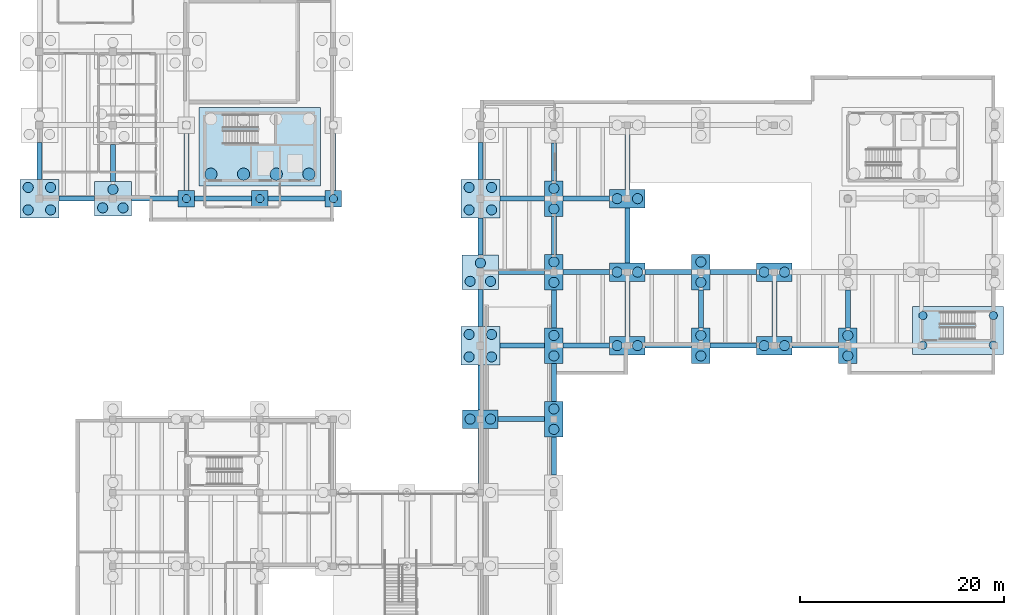
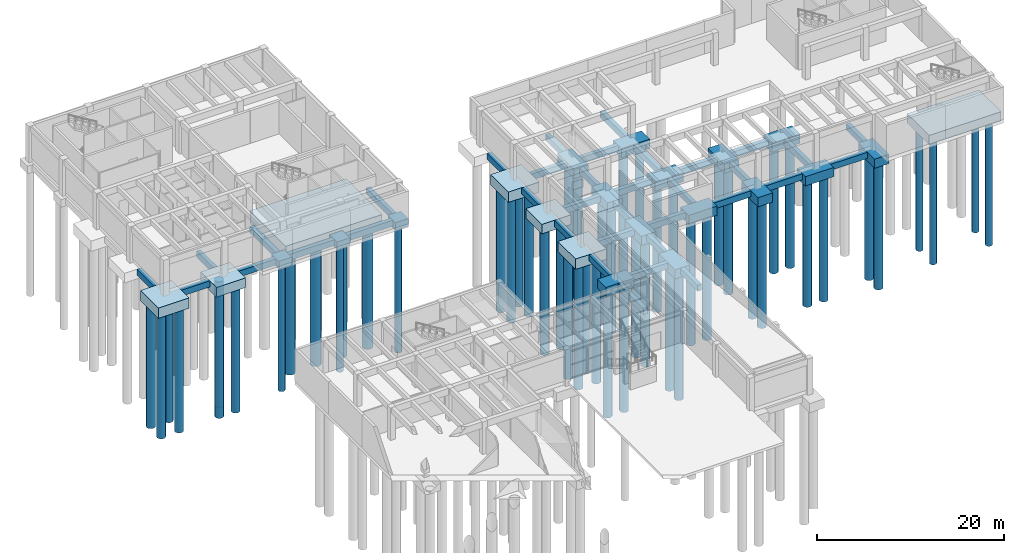
# One storey, part 2 of 28: 59 footings, 55 piles.
"""IFC4 building model written with IfcOpenShell, lengths in metres."""

from ifc_helpers import new_model, si_unit, direction, frame, origin, origin_2d, place, context, subcontext, project, spatial, rectangle, circle, extrude, material, material_profile, profile_set, type_object, element, save


model = new_model("IFC4")

# Units and contexts
model_context = context("Model", 3, precision=1e-05, world=origin(), true_north=direction((0.0, 1.0)))
body_context = subcontext(model_context, "Body", "Model", "MODEL_VIEW")
ifc_project = project(units=[si_unit("LENGTHUNIT", "METRE"), si_unit("AREAUNIT", "SQUARE_METRE"), si_unit("VOLUMEUNIT", "CUBIC_METRE"), si_unit("PLANEANGLEUNIT", "RADIAN"), si_unit("MASSUNIT", "GRAM", prefix="KILO")], contexts=[model_context])

# Site, building, storey
site_placement = place(None, origin())
site = spatial("IfcSite", under=ifc_project, at=site_placement, CompositionType="ELEMENT")
building_placement = place(site_placement, origin())
building = spatial("IfcBuilding", under=site, at=building_placement, Name="Bramvelor Terrace Health Centre", CompositionType="ELEMENT")
storey_placement = place(building_placement, frame((0.0, 0.0, -4.5)))
storey = spatial("IfcBuildingStorey", under=building, at=storey_placement, Name="B1", CompositionType="ELEMENT", Elevation=-4.5)

# Footings
ifc_material_1 = material(Name="Concrete C40/50", Category="concrete")
ifc_material_profile_1 = material_profile(ifc_material_1, rectangle(XDim=0.5, YDim=0.800048828125, at=origin_2d()), Name="RC 500x800")
ifc_profile_set_1 = profile_set([ifc_material_profile_1], Name="Concrete C40/50")
footing_type_1 = type_object("IfcFootingType", Name="FTG-FB-500x800", PredefinedType="FOOTING_BEAM", material=ifc_profile_set_1)
footing_1_placement = place(storey_placement, frame((1.89990234375, 86.39990234375, -0.89990234375), z_axis=(1.0, 0.0, 0.0), x_axis=(0.0, 1.0, 0.0)))
element("IfcFooting", 1, at=footing_1_placement, inside=storey, type_object=footing_type_1, Name="B1 Ground Tie Beam X (0.0, 86.4)", PredefinedType="FOOTING_BEAM", context=body_context, shape_type="SweptSolid", body=[
    extrude(rectangle(XDim=0.5, YDim=0.800048828125, at=origin_2d()), origin(), (0.0, 0.0, 1.0), 3.5),
])
footing_2_placement = place(storey_placement, frame((0.0, 88.300048828125, -0.89990234375), z_axis=(0.0, 1.0, 0.0), x_axis=(-1.0, 0.0, 0.0)))
element("IfcFooting", 2, at=footing_2_placement, inside=storey, type_object=footing_type_1, Name="B1 Ground Tie Beam Y (0.0, 86.4)", PredefinedType="FOOTING_BEAM", context=body_context, shape_type="SweptSolid", body=[
    extrude(rectangle(XDim=0.5, YDim=0.800048828125, at=origin_2d()), origin(), (0.0, 0.0, 1.0), 3.599853515625),
])
footing_3_placement = place(storey_placement, frame((9.0, 86.39990234375, -0.89990234375), z_axis=(1.0, 0.0, 0.0), x_axis=(0.0, 1.0, 0.0)))
element("IfcFooting", 3, at=footing_3_placement, inside=storey, type_object=footing_type_1, Name="B1 Ground Tie Beam X (7.2, 86.4)", PredefinedType="FOOTING_BEAM", context=body_context, shape_type="SweptSolid", body=[
    extrude(rectangle(XDim=0.5, YDim=0.800048828125, at=origin_2d()), origin(), (0.0, 0.0, 1.0), 4.60009765625),
])
footing_4_placement = place(storey_placement, frame((7.199951171875, 88.10009765625, -0.89990234375), z_axis=(0.0, 1.0, 0.0), x_axis=(-1.0, 0.0, 0.0)))
element("IfcFooting", 4, at=footing_4_placement, inside=storey, type_object=footing_type_1, Name="B1 Ground Tie Beam Y (7.2, 86.4)", PredefinedType="FOOTING_BEAM", context=body_context, shape_type="SweptSolid", body=[
    extrude(rectangle(XDim=0.5, YDim=0.800048828125, at=origin_2d()), origin(), (0.0, 0.0, 1.0), 3.599853515625),
])
for number, where, z_axis, x_axis, name in (
    (5, (15.199951171875, 86.39990234375, -0.89990234375), (1.0, 0.0, 0.0), (0.0, 1.0, 0.0), "B1 Ground Tie Beam X (14.4, 86.4)"),
    (6, (14.39990234375, 87.199951171875, -0.89990234375), (0.0, 1.0, 0.0), (-1.0, 0.0, 0.0), "B1 Ground Tie Beam Y (14.4, 86.4)"),
    (7, (22.39990234375, 86.39990234375, -0.89990234375), (1.0, 0.0, 0.0), (0.0, 1.0, 0.0), "B1 Ground Tie Beam X (21.6, 86.4)"),
    (8, (28.800048828125, 87.199951171875, -0.89990234375), (0.0, 1.0, 0.0), (-1.0, 0.0, 0.0), "B1 Ground Tie Beam Y (28.8, 86.4)"),
):
    element("IfcFooting", number, at=place(storey_placement, frame(where, z_axis=z_axis, x_axis=x_axis)), inside=storey, type_object=footing_type_1, Name=name, PredefinedType="FOOTING_BEAM", context=body_context, shape_type="SweptSolid", body=[
        extrude(rectangle(XDim=0.5, YDim=0.800048828125, at=origin_2d()), origin(), (0.0, 0.0, 1.0), 5.60009765625),
    ])
footing_5_placement = place(storey_placement, frame((43.199951171875, 58.5, -0.89990234375), z_axis=(0.0, 1.0, 0.0), x_axis=(-1.0, 0.0, 0.0)))
element("IfcFooting", 9, at=footing_5_placement, inside=storey, type_object=footing_type_1, Name="B1 Ground Tie Beam Y (43.2, 57.6)", PredefinedType="FOOTING_BEAM", context=body_context, shape_type="SweptSolid", body=[
    extrude(rectangle(XDim=0.5, YDim=0.800048828125, at=origin_2d()), origin(), (0.0, 0.0, 1.0), 5.39990234375),
])
footing_6_placement = place(storey_placement, frame((44.949951171875, 64.800048828125, -0.89990234375), z_axis=(1.0, 0.0, 0.0), x_axis=(0.0, 1.0, 0.0)))
element("IfcFooting", 10, at=footing_6_placement, inside=storey, type_object=footing_type_1, Name="B1 Ground Tie Beam X (43.2, 64.8)", PredefinedType="FOOTING_BEAM", context=body_context, shape_type="SweptSolid", body=[
    extrude(rectangle(XDim=0.5, YDim=0.800048828125, at=origin_2d()), origin(), (0.0, 0.0, 1.0), 4.550048828125),
])
footing_7_placement = place(storey_placement, frame((43.199951171875, 65.699951171875, -0.89990234375), z_axis=(0.0, 1.0, 0.0), x_axis=(-1.0, 0.0, 0.0)))
element("IfcFooting", 11, at=footing_7_placement, inside=storey, type_object=footing_type_1, Name="B1 Ground Tie Beam Y (43.2, 64.8)", PredefinedType="FOOTING_BEAM", context=body_context, shape_type="SweptSolid", body=[
    extrude(rectangle(XDim=0.5, YDim=0.800048828125, at=origin_2d()), origin(), (0.0, 0.0, 1.0), 4.400146484375),
])
footing_8_placement = place(storey_placement, frame((45.10009765625, 72.0, -0.89990234375), z_axis=(1.0, 0.0, 0.0), x_axis=(0.0, 1.0, 0.0)))
element("IfcFooting", 12, at=footing_8_placement, inside=storey, type_object=footing_type_1, Name="B1 Ground Tie Beam X (43.2, 72.0)", PredefinedType="FOOTING_BEAM", context=body_context, shape_type="SweptSolid", body=[
    extrude(rectangle(XDim=0.5, YDim=0.800048828125, at=origin_2d()), origin(), (0.0, 0.0, 1.0), 4.39990234375),
])
footing_9_placement = place(storey_placement, frame((43.199951171875, 73.89990234375, -0.89990234375), z_axis=(0.0, 1.0, 0.0), x_axis=(-1.0, 0.0, 0.0)))
element("IfcFooting", 13, at=footing_9_placement, inside=storey, type_object=footing_type_1, Name="B1 Ground Tie Beam Y (43.2, 72.0)", PredefinedType="FOOTING_BEAM", context=body_context, shape_type="SweptSolid", body=[
    extrude(rectangle(XDim=0.5, YDim=0.800048828125, at=origin_2d()), origin(), (0.0, 0.0, 1.0), 3.60009765625),
])
footing_10_placement = place(storey_placement, frame((45.0, 79.199951171875, -0.89990234375), z_axis=(1.0, 0.0, 0.0), x_axis=(0.0, 1.0, 0.0)))
element("IfcFooting", 14, at=footing_10_placement, inside=storey, type_object=footing_type_1, Name="B1 Ground Tie Beam X (43.2, 79.2)", PredefinedType="FOOTING_BEAM", context=body_context, shape_type="SweptSolid", body=[
    extrude(rectangle(XDim=0.5, YDim=0.800048828125, at=origin_2d()), origin(), (0.0, 0.0, 1.0), 4.5),
])
footing_11_placement = place(storey_placement, frame((43.199951171875, 80.89990234375, -0.89990234375), z_axis=(0.0, 1.0, 0.0), x_axis=(-1.0, 0.0, 0.0)))
element("IfcFooting", 15, at=footing_11_placement, inside=storey, type_object=footing_type_1, Name="B1 Ground Tie Beam Y (43.2, 79.2)", PredefinedType="FOOTING_BEAM", context=body_context, shape_type="SweptSolid", body=[
    extrude(rectangle(XDim=0.5, YDim=0.800048828125, at=origin_2d()), origin(), (0.0, 0.0, 1.0), 3.60009765625),
])
footing_12_placement = place(storey_placement, frame((45.10009765625, 86.39990234375, -0.89990234375), z_axis=(1.0, 0.0, 0.0), x_axis=(0.0, 1.0, 0.0)))
element("IfcFooting", 16, at=footing_12_placement, inside=storey, type_object=footing_type_1, Name="B1 Ground Tie Beam X (43.2, 86.4)", PredefinedType="FOOTING_BEAM", context=body_context, shape_type="SweptSolid", body=[
    extrude(rectangle(XDim=0.5, YDim=0.800048828125, at=origin_2d()), origin(), (0.0, 0.0, 1.0), 4.39990234375),
])
footing_13_placement = place(storey_placement, frame((43.199951171875, 88.300048828125, -0.89990234375), z_axis=(0.0, 1.0, 0.0), x_axis=(-1.0, 0.0, 0.0)))
element("IfcFooting", 17, at=footing_13_placement, inside=storey, type_object=footing_type_1, Name="B1 Ground Tie Beam Y (43.2, 86.4)", PredefinedType="FOOTING_BEAM", context=body_context, shape_type="SweptSolid", body=[
    extrude(rectangle(XDim=0.5, YDim=0.800048828125, at=origin_2d()), origin(), (0.0, 0.0, 1.0), 3.599853515625),
])
for number, where, z_axis, x_axis, name in (
    (18, (50.39990234375, 59.35009765625, -0.89990234375), (0.0, 1.0, 0.0), (-1.0, 0.0, 0.0), "B1 Ground Tie Beam Y (50.4, 57.6)"),
    (19, (50.39990234375, 66.550048828125, -0.89990234375), (0.0, 1.0, 0.0), (-1.0, 0.0, 0.0), "B1 Ground Tie Beam Y (50.4, 64.8)"),
):
    element("IfcFooting", number, at=place(storey_placement, frame(where, z_axis=z_axis, x_axis=x_axis)), inside=storey, type_object=footing_type_1, Name=name, PredefinedType="FOOTING_BEAM", context=body_context, shape_type="SweptSolid", body=[
        extrude(rectangle(XDim=0.5, YDim=0.800048828125, at=origin_2d()), origin(), (0.0, 0.0, 1.0), 3.699951171875),
    ])
footing_14_placement = place(storey_placement, frame((51.300048828125, 72.0, -0.89990234375), z_axis=(1.0, 0.0, 0.0), x_axis=(0.0, 1.0, 0.0)))
element("IfcFooting", 20, at=footing_14_placement, inside=storey, type_object=footing_type_1, Name="B1 Ground Tie Beam X (50.4, 72.0)", PredefinedType="FOOTING_BEAM", context=body_context, shape_type="SweptSolid", body=[
    extrude(rectangle(XDim=0.5, YDim=0.800048828125, at=origin_2d()), origin(), (0.0, 0.0, 1.0), 4.550048828125),
])
footing_15_placement = place(storey_placement, frame((50.39990234375, 73.75, -0.89990234375), z_axis=(0.0, 1.0, 0.0), x_axis=(-1.0, 0.0, 0.0)))
element("IfcFooting", 21, at=footing_15_placement, inside=storey, type_object=footing_type_1, Name="B1 Ground Tie Beam Y (50.4, 72.0)", PredefinedType="FOOTING_BEAM", context=body_context, shape_type="SweptSolid", body=[
    extrude(rectangle(XDim=0.5, YDim=0.800048828125, at=origin_2d()), origin(), (0.0, 0.0, 1.0), 3.699951171875),
])
footing_16_placement = place(storey_placement, frame((51.300048828125, 79.199951171875, -0.89990234375), z_axis=(1.0, 0.0, 0.0), x_axis=(0.0, 1.0, 0.0)))
element("IfcFooting", 22, at=footing_16_placement, inside=storey, type_object=footing_type_1, Name="B1 Ground Tie Beam X (50.4, 79.2)", PredefinedType="FOOTING_BEAM", context=body_context, shape_type="SweptSolid", body=[
    extrude(rectangle(XDim=0.5, YDim=0.800048828125, at=origin_2d()), origin(), (0.0, 0.0, 1.0), 4.550048828125),
])
footing_17_placement = place(storey_placement, frame((50.39990234375, 80.949951171875, -0.89990234375), z_axis=(0.0, 1.0, 0.0), x_axis=(-1.0, 0.0, 0.0)))
element("IfcFooting", 23, at=footing_17_placement, inside=storey, type_object=footing_type_1, Name="B1 Ground Tie Beam Y (50.4, 79.2)", PredefinedType="FOOTING_BEAM", context=body_context, shape_type="SweptSolid", body=[
    extrude(rectangle(XDim=0.5, YDim=0.800048828125, at=origin_2d()), origin(), (0.0, 0.0, 1.0), 3.699951171875),
])
footing_18_placement = place(storey_placement, frame((51.300048828125, 86.39990234375, -0.89990234375), z_axis=(1.0, 0.0, 0.0), x_axis=(0.0, 1.0, 0.0)))
element("IfcFooting", 24, at=footing_18_placement, inside=storey, type_object=footing_type_1, Name="B1 Ground Tie Beam X (50.4, 86.4)", PredefinedType="FOOTING_BEAM", context=body_context, shape_type="SweptSolid", body=[
    extrude(rectangle(XDim=0.5, YDim=0.800048828125, at=origin_2d()), origin(), (0.0, 0.0, 1.0), 4.550048828125),
])
footing_19_placement = place(storey_placement, frame((50.39990234375, 88.14990234375, -0.89990234375), z_axis=(0.0, 1.0, 0.0), x_axis=(-1.0, 0.0, 0.0)))
element("IfcFooting", 25, at=footing_19_placement, inside=storey, type_object=footing_type_1, Name="B1 Ground Tie Beam Y (50.4, 86.4)", PredefinedType="FOOTING_BEAM", context=body_context, shape_type="SweptSolid", body=[
    extrude(rectangle(XDim=0.5, YDim=0.800048828125, at=origin_2d()), origin(), (0.0, 0.0, 1.0), 3.7001953125),
])
footing_20_placement = place(storey_placement, frame((59.35009765625, 72.0, -0.89990234375), z_axis=(1.0, 0.0, 0.0), x_axis=(0.0, 1.0, 0.0)))
element("IfcFooting", 26, at=footing_20_placement, inside=storey, type_object=footing_type_1, Name="B1 Ground Tie Beam X (57.6, 72.0)", PredefinedType="FOOTING_BEAM", context=body_context, shape_type="SweptSolid", body=[
    extrude(rectangle(XDim=0.5, YDim=0.800048828125, at=origin_2d()), origin(), (0.0, 0.0, 1.0), 4.5498046875),
])
footing_21_placement = place(storey_placement, frame((57.60009765625, 72.89990234375, -0.89990234375), z_axis=(0.0, 1.0, 0.0), x_axis=(-1.0, 0.0, 0.0)))
element("IfcFooting", 27, at=footing_21_placement, inside=storey, type_object=footing_type_1, Name="B1 Ground Tie Beam Y (57.6, 72.0)", PredefinedType="FOOTING_BEAM", context=body_context, shape_type="SweptSolid", body=[
    extrude(rectangle(XDim=0.5, YDim=0.800048828125, at=origin_2d()), origin(), (0.0, 0.0, 1.0), 5.400146484375),
])
footing_22_placement = place(storey_placement, frame((59.35009765625, 79.199951171875, -0.89990234375), z_axis=(1.0, 0.0, 0.0), x_axis=(0.0, 1.0, 0.0)))
element("IfcFooting", 28, at=footing_22_placement, inside=storey, type_object=footing_type_1, Name="B1 Ground Tie Beam X (57.6, 79.2)", PredefinedType="FOOTING_BEAM", context=body_context, shape_type="SweptSolid", body=[
    extrude(rectangle(XDim=0.5, YDim=0.800048828125, at=origin_2d()), origin(), (0.0, 0.0, 1.0), 4.5498046875),
])
for number, where, z_axis, x_axis, name in (
    (29, (57.60009765625, 80.10009765625, -0.89990234375), (0.0, 1.0, 0.0), (-1.0, 0.0, 0.0), "B1 Ground Tie Beam Y (57.6, 79.2)"),
    (30, (57.60009765625, 87.300048828125, -0.89990234375), (0.0, 1.0, 0.0), (-1.0, 0.0, 0.0), "B1 Ground Tie Beam Y (57.6, 86.4)"),
):
    element("IfcFooting", number, at=place(storey_placement, frame(where, z_axis=z_axis, x_axis=x_axis)), inside=storey, type_object=footing_type_1, Name=name, PredefinedType="FOOTING_BEAM", context=body_context, shape_type="SweptSolid", body=[
        extrude(rectangle(XDim=0.5, YDim=0.800048828125, at=origin_2d()), origin(), (0.0, 0.0, 1.0), 5.39990234375),
    ])
footing_23_placement = place(storey_placement, frame((65.699951171875, 72.0, -0.89990234375), z_axis=(1.0, 0.0, 0.0), x_axis=(0.0, 1.0, 0.0)))
element("IfcFooting", 31, at=footing_23_placement, inside=storey, type_object=footing_type_1, Name="B1 Ground Tie Beam X (64.8, 72.0)", PredefinedType="FOOTING_BEAM", context=body_context, shape_type="SweptSolid", body=[
    extrude(rectangle(XDim=0.5, YDim=0.800048828125, at=origin_2d()), origin(), (0.0, 0.0, 1.0), 4.550048828125),
])
footing_24_placement = place(storey_placement, frame((64.800048828125, 73.75, -0.89990234375), z_axis=(0.0, 1.0, 0.0), x_axis=(-1.0, 0.0, 0.0)))
element("IfcFooting", 32, at=footing_24_placement, inside=storey, type_object=footing_type_1, Name="B1 Ground Tie Beam Y (64.8, 72.0)", PredefinedType="FOOTING_BEAM", context=body_context, shape_type="SweptSolid", body=[
    extrude(rectangle(XDim=0.5, YDim=0.800048828125, at=origin_2d()), origin(), (0.0, 0.0, 1.0), 3.699951171875),
])
for number, where, z_axis, x_axis, name in (
    (33, (65.699951171875, 79.199951171875, -0.89990234375), (1.0, 0.0, 0.0), (0.0, 1.0, 0.0), "B1 Ground Tie Beam X (64.8, 79.2)"),
    (34, (73.75, 72.0, -0.89990234375), (1.0, 0.0, 0.0), (0.0, 1.0, 0.0), "B1 Ground Tie Beam X (72.0, 72.0)"),
):
    element("IfcFooting", number, at=place(storey_placement, frame(where, z_axis=z_axis, x_axis=x_axis)), inside=storey, type_object=footing_type_1, Name=name, PredefinedType="FOOTING_BEAM", context=body_context, shape_type="SweptSolid", body=[
        extrude(rectangle(XDim=0.5, YDim=0.800048828125, at=origin_2d()), origin(), (0.0, 0.0, 1.0), 4.550048828125),
    ])
footing_25_placement = place(storey_placement, frame((72.0, 72.89990234375, -0.89990234375), z_axis=(0.0, 1.0, 0.0), x_axis=(-1.0, 0.0, 0.0)))
element("IfcFooting", 35, at=footing_25_placement, inside=storey, type_object=footing_type_1, Name="B1 Ground Tie Beam Y (72.0, 72.0)", PredefinedType="FOOTING_BEAM", context=body_context, shape_type="SweptSolid", body=[
    extrude(rectangle(XDim=0.5, YDim=0.800048828125, at=origin_2d()), origin(), (0.0, 0.0, 1.0), 5.400146484375),
])
footing_26_placement = place(storey_placement, frame((79.199951171875, 73.75, -0.89990234375), z_axis=(0.0, 1.0, 0.0), x_axis=(-1.0, 0.0, 0.0)))
element("IfcFooting", 36, at=footing_26_placement, inside=storey, type_object=footing_type_1, Name="B1 Ground Tie Beam Y (79.2, 72.0)", PredefinedType="FOOTING_BEAM", context=body_context, shape_type="SweptSolid", body=[
    extrude(rectangle(XDim=0.5, YDim=0.800048828125, at=origin_2d()), origin(), (0.0, 0.0, 1.0), 3.699951171875),
])
ifc_material_2 = material(Name="Concrete C40/50", Category="concrete")
footing_type_2 = type_object("IfcFootingType", Name="FTG-PC-1P-800", PredefinedType="PILE_CAP", material=ifc_material_2)
for number, where, z_axis, x_axis, name in (
    (37, (14.39990234375, 86.39990234375, -1.5), (0.0, 0.0, 1.0), (1.0, 0.0, 0.0), "B1 Pile Cap (14.4, 86.4)"),
    (38, (21.60009765625, 86.39990234375, -1.5), (0.0, 0.0, 1.0), (1.0, 0.0, 0.0), "B1 Pile Cap (21.6, 86.4)"),
    (39, (28.800048828125, 86.39990234375, -1.5), (0.0, 0.0, 1.0), (1.0, 0.0, 0.0), "B1 Pile Cap (28.8, 86.4)"),
):
    element("IfcFooting", number, at=place(storey_placement, frame(where, z_axis=z_axis, x_axis=x_axis)), inside=storey, type_object=footing_type_2, Name=name, PredefinedType="PILE_CAP", context=body_context, shape_type="SweptSolid", body=[
        extrude(rectangle(XDim=1.60009765625, YDim=1.60009765625, at=origin_2d()), origin(), (0.0, 0.0, 1.0), 1.0),
    ])
ifc_material_3 = material(Name="Concrete C40/50", Category="concrete")
footing_type_3 = type_object("IfcFootingType", Name="FTG-PC-2PX-1000", PredefinedType="PILE_CAP", material=ifc_material_3)
for number, where, z_axis, x_axis, name in (
    (40, (43.199951171875, 64.800048828125, -1.7001953125), (0.0, 0.0, 1.0), (1.0, 0.0, 0.0), "B1 Pile Cap (43.2, 64.8)"),
    (41, (57.60009765625, 72.0, -1.7001953125), (0.0, 0.0, 1.0), (1.0, 0.0, 0.0), "B1 Pile Cap (57.6, 72.0)"),
    (42, (57.60009765625, 79.199951171875, -1.7001953125), (0.0, 0.0, 1.0), (1.0, 0.0, 0.0), "B1 Pile Cap (57.6, 79.2)"),
    (43, (57.60009765625, 86.39990234375, -1.7001953125), (0.0, 0.0, 1.0), (1.0, 0.0, 0.0), "B1 Pile Cap (57.6, 86.4)"),
    (44, (72.0, 72.0, -1.7001953125), (0.0, 0.0, 1.0), (1.0, 0.0, 0.0), "B1 Pile Cap (72.0, 72.0)"),
    (45, (72.0, 79.199951171875, -1.7001953125), (0.0, 0.0, 1.0), (1.0, 0.0, 0.0), "B1 Pile Cap (72.0, 79.2)"),
):
    element("IfcFooting", number, at=place(storey_placement, frame(where, z_axis=z_axis, x_axis=x_axis)), inside=storey, type_object=footing_type_3, Name=name, PredefinedType="PILE_CAP", context=body_context, shape_type="SweptSolid", body=[
        extrude(rectangle(XDim=3.5, YDim=1.800048828125, at=origin_2d()), origin(), (0.0, 0.0, 1.0), 1.199951171875),
    ])
ifc_material_4 = material(Name="Concrete C40/50", Category="concrete")
footing_type_4 = type_object("IfcFootingType", Name="FTG-PC-2PY-1000", PredefinedType="PILE_CAP", material=ifc_material_4)
for number, where, z_axis, x_axis, name in (
    (46, (50.39990234375, 64.800048828125, -1.7001953125), (0.0, 0.0, 1.0), (1.0, 0.0, 0.0), "B1 Pile Cap (50.4, 64.8)"),
    (47, (50.39990234375, 72.0, -1.7001953125), (0.0, 0.0, 1.0), (1.0, 0.0, 0.0), "B1 Pile Cap (50.4, 72.0)"),
    (48, (50.39990234375, 79.199951171875, -1.7001953125), (0.0, 0.0, 1.0), (1.0, 0.0, 0.0), "B1 Pile Cap (50.4, 79.2)"),
    (49, (50.39990234375, 86.39990234375, -1.7001953125), (0.0, 0.0, 1.0), (1.0, 0.0, 0.0), "B1 Pile Cap (50.4, 86.4)"),
    (50, (64.800048828125, 72.0, -1.7001953125), (0.0, 0.0, 1.0), (1.0, 0.0, 0.0), "B1 Pile Cap (64.8, 72.0)"),
    (51, (64.800048828125, 79.199951171875, -1.7001953125), (0.0, 0.0, 1.0), (1.0, 0.0, 0.0), "B1 Pile Cap (64.8, 79.2)"),
    (52, (79.199951171875, 72.0, -1.7001953125), (0.0, 0.0, 1.0), (1.0, 0.0, 0.0), "B1 Pile Cap (79.2, 72.0)"),
):
    element("IfcFooting", number, at=place(storey_placement, frame(where, z_axis=z_axis, x_axis=x_axis)), inside=storey, type_object=footing_type_4, Name=name, PredefinedType="PILE_CAP", context=body_context, shape_type="SweptSolid", body=[
        extrude(rectangle(XDim=1.800048828125, YDim=3.5, at=origin_2d()), origin(), (0.0, 0.0, 1.0), 1.199951171875),
    ])
ifc_material_5 = material(Name="Concrete C40/50", Category="concrete")
footing_type_5 = type_object("IfcFootingType", Name="FTG-PC-3P-1000", PredefinedType="PILE_CAP", material=ifc_material_5)
for number, where, z_axis, x_axis, name in (
    (53, (7.199951171875, 86.39990234375, -1.75), (0.0, 0.0, 1.0), (1.0, 0.0, 0.0), "B1 Pile Cap (7.2, 86.4)"),
    (54, (43.199951171875, 79.199951171875, -1.75), (0.0, 0.0, 1.0), (1.0, 0.0, 0.0), "B1 Pile Cap (43.2, 79.2)"),
):
    element("IfcFooting", number, at=place(storey_placement, frame(where, z_axis=z_axis, x_axis=x_axis)), inside=storey, type_object=footing_type_5, Name=name, PredefinedType="PILE_CAP", context=body_context, shape_type="SweptSolid", body=[
        extrude(rectangle(XDim=3.60009765625, YDim=3.39990234375, at=origin_2d()), origin(), (0.0, 0.0, 1.0), 1.25),
    ])
ifc_material_6 = material(Name="Concrete C40/50", Category="concrete")
footing_type_6 = type_object("IfcFootingType", Name="FTG-PC-4P-1000", PredefinedType="PILE_CAP", material=ifc_material_6)
for number, where, z_axis, x_axis, name in (
    (55, (0.0, 86.39990234375, -1.85009765625), (0.0, 0.0, 1.0), (1.0, 0.0, 0.0), "B1 Pile Cap (0.0, 86.4)"),
    (56, (43.199951171875, 72.0, -1.85009765625), (0.0, 0.0, 1.0), (1.0, 0.0, 0.0), "B1 Pile Cap (43.2, 72.0)"),
    (57, (43.199951171875, 86.39990234375, -1.85009765625), (0.0, 0.0, 1.0), (1.0, 0.0, 0.0), "B1 Pile Cap (43.2, 86.4)"),
):
    element("IfcFooting", number, at=place(storey_placement, frame(where, z_axis=z_axis, x_axis=x_axis)), inside=storey, type_object=footing_type_6, Name=name, PredefinedType="PILE_CAP", context=body_context, shape_type="SweptSolid", body=[
        extrude(rectangle(XDim=3.800048828125, YDim=3.800048828125, at=origin_2d()), origin(), (0.0, 0.0, 1.0), 1.35009765625),
    ])
ifc_material_7 = material(Name="Concrete C40/50", Category="concrete")
footing_type_7 = type_object("IfcFootingType", Name="FTG-PC-CORE-C2", PredefinedType="PILE_CAP", material=ifc_material_7)
footing_27_placement = place(storey_placement, frame((21.60009765625, 91.5, -2.10009765625), z_axis=(0.0, 0.0, 1.0), x_axis=(1.0, 0.0, 0.0)))
element("IfcFooting", 58, at=footing_27_placement, inside=storey, type_object=footing_type_7, Name="C2 Combined Core Pile Cap", PredefinedType="PILE_CAP", context=body_context, shape_type="SweptSolid", body=[
    extrude(rectangle(XDim=11.89990234375, YDim=7.699951171875, at=origin_2d()), origin(), (0.0, 0.0, 1.0), 1.60009765625),
])
ifc_material_8 = material(Name="Concrete C40/50", Category="concrete")
footing_type_8 = type_object("IfcFootingType", Name="FTG-PC-STR-S8", PredefinedType="PILE_CAP", material=ifc_material_8)
footing_28_placement = place(storey_placement, frame((90.0, 73.5, -1.7001953125), z_axis=(0.0, 0.0, 1.0), x_axis=(1.0, 0.0, 0.0)))
element("IfcFooting", 59, at=footing_28_placement, inside=storey, type_object=footing_type_8, Name="ST-8 Stair Shaft Pile Cap", PredefinedType="PILE_CAP", context=body_context, shape_type="SweptSolid", body=[
    extrude(rectangle(XDim=8.89990234375, YDim=4.699951171875, at=origin_2d()), origin(), (0.0, 0.0, 1.0), 1.199951171875),
])

# Piles
ifc_material_9 = material(Name="Concrete C40/50", Category="concrete")
ifc_material_profile_2 = material_profile(ifc_material_9, circle(Radius=0.5, at=origin_2d()), Name="BP D1000")
ifc_profile_set_2 = profile_set([ifc_material_profile_2], Name="Concrete C40/50")
pile_type_1 = type_object("IfcPileType", Name="PILE-BP-1000", PredefinedType="BORED", material=ifc_profile_set_2)
for number, where, z_axis, x_axis, name in (
    (60, (-1.10009765625, 85.300048828125, -1.72998046875), (0.0, 0.0, -1.0), (1.0, 0.0, 0.0), "B1 Bored Pile (-1.1, 85.3)"),
    (61, (1.10009765625, 85.300048828125, -1.72998046875), (0.0, 0.0, -1.0), (1.0, 0.0, 0.0), "B1 Bored Pile (1.1, 85.3)"),
    (62, (-1.10009765625, 87.5, -1.72998046875), (0.0, 0.0, -1.0), (1.0, 0.0, 0.0), "B1 Bored Pile (-1.1, 87.5)"),
    (63, (1.10009765625, 87.5, -1.72998046875), (0.0, 0.0, -1.0), (1.0, 0.0, 0.0), "B1 Bored Pile (1.1, 87.5)"),
):
    element("IfcPile", number, at=place(storey_placement, frame(where, z_axis=z_axis, x_axis=x_axis)), inside=storey, type_object=pile_type_1, Name=name, PredefinedType="BORED", context=body_context, shape_type="SweptSolid", body=[
        extrude(circle(Radius=0.5, at=origin_2d()), origin(), (0.0, 0.0, 1.0), 16.27001953125),
    ])
for number, where, z_axis, x_axis, name in (
    (64, (6.199951171875, 85.5, -1.6298828125), (0.0, 0.0, -1.0), (1.0, 0.0, 0.0), "B1 Bored Pile (6.2, 85.5)"),
    (65, (8.199951171875, 85.5, -1.6298828125), (0.0, 0.0, -1.0), (1.0, 0.0, 0.0), "B1 Bored Pile (8.2, 85.5)"),
    (66, (7.199951171875, 87.300048828125, -1.6298828125), (0.0, 0.0, -1.0), (1.0, 0.0, 0.0), "B1 Bored Pile (7.2, 87.3)"),
):
    element("IfcPile", number, at=place(storey_placement, frame(where, z_axis=z_axis, x_axis=x_axis)), inside=storey, type_object=pile_type_1, Name=name, PredefinedType="BORED", context=body_context, shape_type="SweptSolid", body=[
        extrude(circle(Radius=0.5, at=origin_2d()), origin(), (0.0, 0.0, 1.0), 16.3701171875),
    ])
for number, where, z_axis, x_axis, name in (
    (67, (42.199951171875, 64.800048828125, -1.580078125), (0.0, 0.0, -1.0), (1.0, 0.0, 0.0), "B1 Bored Pile (42.2, 64.8)"),
    (68, (44.199951171875, 64.800048828125, -1.580078125), (0.0, 0.0, -1.0), (1.0, 0.0, 0.0), "B1 Bored Pile (44.2, 64.8)"),
):
    element("IfcPile", number, at=place(storey_placement, frame(where, z_axis=z_axis, x_axis=x_axis)), inside=storey, type_object=pile_type_1, Name=name, PredefinedType="BORED", context=body_context, shape_type="SweptSolid", body=[
        extrude(circle(Radius=0.5, at=origin_2d()), origin(), (0.0, 0.0, 1.0), 16.419921875),
    ])
for number, where, z_axis, x_axis, name in (
    (69, (42.10009765625, 70.89990234375, -1.72998046875), (0.0, 0.0, -1.0), (1.0, 0.0, 0.0), "B1 Bored Pile (42.1, 70.9)"),
    (70, (44.300048828125, 70.89990234375, -1.72998046875), (0.0, 0.0, -1.0), (1.0, 0.0, 0.0), "B1 Bored Pile (44.3, 70.9)"),
    (71, (42.10009765625, 73.10009765625, -1.72998046875), (0.0, 0.0, -1.0), (1.0, 0.0, 0.0), "B1 Bored Pile (42.1, 73.1)"),
    (72, (44.300048828125, 73.10009765625, -1.72998046875), (0.0, 0.0, -1.0), (1.0, 0.0, 0.0), "B1 Bored Pile (44.3, 73.1)"),
):
    element("IfcPile", number, at=place(storey_placement, frame(where, z_axis=z_axis, x_axis=x_axis)), inside=storey, type_object=pile_type_1, Name=name, PredefinedType="BORED", context=body_context, shape_type="SweptSolid", body=[
        extrude(circle(Radius=0.5, at=origin_2d()), origin(), (0.0, 0.0, 1.0), 16.27001953125),
    ])
for number, where, z_axis, x_axis, name in (
    (73, (42.199951171875, 78.300048828125, -1.6298828125), (0.0, 0.0, -1.0), (1.0, 0.0, 0.0), "B1 Bored Pile (42.2, 78.3)"),
    (74, (44.199951171875, 78.300048828125, -1.6298828125), (0.0, 0.0, -1.0), (1.0, 0.0, 0.0), "B1 Bored Pile (44.2, 78.3)"),
    (75, (43.199951171875, 80.10009765625, -1.6298828125), (0.0, 0.0, -1.0), (1.0, 0.0, 0.0), "B1 Bored Pile (43.2, 80.1)"),
):
    element("IfcPile", number, at=place(storey_placement, frame(where, z_axis=z_axis, x_axis=x_axis)), inside=storey, type_object=pile_type_1, Name=name, PredefinedType="BORED", context=body_context, shape_type="SweptSolid", body=[
        extrude(circle(Radius=0.5, at=origin_2d()), origin(), (0.0, 0.0, 1.0), 16.3701171875),
    ])
for number, where, z_axis, x_axis, name in (
    (76, (42.10009765625, 85.300048828125, -1.72998046875), (0.0, 0.0, -1.0), (1.0, 0.0, 0.0), "B1 Bored Pile (42.1, 85.3)"),
    (77, (44.300048828125, 85.300048828125, -1.72998046875), (0.0, 0.0, -1.0), (1.0, 0.0, 0.0), "B1 Bored Pile (44.3, 85.3)"),
    (78, (42.10009765625, 87.5, -1.72998046875), (0.0, 0.0, -1.0), (1.0, 0.0, 0.0), "B1 Bored Pile (42.1, 87.5)"),
    (79, (44.300048828125, 87.5, -1.72998046875), (0.0, 0.0, -1.0), (1.0, 0.0, 0.0), "B1 Bored Pile (44.3, 87.5)"),
):
    element("IfcPile", number, at=place(storey_placement, frame(where, z_axis=z_axis, x_axis=x_axis)), inside=storey, type_object=pile_type_1, Name=name, PredefinedType="BORED", context=body_context, shape_type="SweptSolid", body=[
        extrude(circle(Radius=0.5, at=origin_2d()), origin(), (0.0, 0.0, 1.0), 16.27001953125),
    ])
for number, where, z_axis, x_axis, name in (
    (80, (50.39990234375, 63.800048828125, -1.580078125), (0.0, 0.0, -1.0), (1.0, 0.0, 0.0), "B1 Bored Pile (50.4, 63.8)"),
    (81, (50.39990234375, 65.800048828125, -1.580078125), (0.0, 0.0, -1.0), (1.0, 0.0, 0.0), "B1 Bored Pile (50.4, 65.8)"),
    (82, (50.39990234375, 71.0, -1.580078125), (0.0, 0.0, -1.0), (1.0, 0.0, 0.0), "B1 Bored Pile (50.4, 71.0)"),
    (83, (50.39990234375, 73.0, -1.580078125), (0.0, 0.0, -1.0), (1.0, 0.0, 0.0), "B1 Bored Pile (50.4, 73.0)"),
    (84, (50.39990234375, 78.199951171875, -1.580078125), (0.0, 0.0, -1.0), (1.0, 0.0, 0.0), "B1 Bored Pile (50.4, 78.2)"),
    (85, (50.39990234375, 80.199951171875, -1.580078125), (0.0, 0.0, -1.0), (1.0, 0.0, 0.0), "B1 Bored Pile (50.4, 80.2)"),
    (86, (50.39990234375, 85.39990234375, -1.580078125), (0.0, 0.0, -1.0), (1.0, 0.0, 0.0), "B1 Bored Pile (50.4, 85.4)"),
    (87, (50.39990234375, 87.39990234375, -1.580078125), (0.0, 0.0, -1.0), (1.0, 0.0, 0.0), "B1 Bored Pile (50.4, 87.4)"),
    (88, (56.60009765625, 72.0, -1.580078125), (0.0, 0.0, -1.0), (1.0, 0.0, 0.0), "B1 Bored Pile (56.6, 72.0)"),
    (89, (58.60009765625, 72.0, -1.580078125), (0.0, 0.0, -1.0), (1.0, 0.0, 0.0), "B1 Bored Pile (58.6, 72.0)"),
    (90, (56.60009765625, 79.199951171875, -1.580078125), (0.0, 0.0, -1.0), (1.0, 0.0, 0.0), "B1 Bored Pile (56.6, 79.2)"),
    (91, (58.60009765625, 79.199951171875, -1.580078125), (0.0, 0.0, -1.0), (1.0, 0.0, 0.0), "B1 Bored Pile (58.6, 79.2)"),
    (92, (56.60009765625, 86.39990234375, -1.580078125), (0.0, 0.0, -1.0), (1.0, 0.0, 0.0), "B1 Bored Pile (56.6, 86.4)"),
    (93, (58.60009765625, 86.39990234375, -1.580078125), (0.0, 0.0, -1.0), (1.0, 0.0, 0.0), "B1 Bored Pile (58.6, 86.4)"),
    (94, (64.800048828125, 71.0, -1.580078125), (0.0, 0.0, -1.0), (1.0, 0.0, 0.0), "B1 Bored Pile (64.8, 71.0)"),
    (95, (64.800048828125, 73.0, -1.580078125), (0.0, 0.0, -1.0), (1.0, 0.0, 0.0), "B1 Bored Pile (64.8, 73.0)"),
    (96, (64.800048828125, 78.199951171875, -1.580078125), (0.0, 0.0, -1.0), (1.0, 0.0, 0.0), "B1 Bored Pile (64.8, 78.2)"),
    (97, (64.800048828125, 80.199951171875, -1.580078125), (0.0, 0.0, -1.0), (1.0, 0.0, 0.0), "B1 Bored Pile (64.8, 80.2)"),
    (98, (71.0, 72.0, -1.580078125), (0.0, 0.0, -1.0), (1.0, 0.0, 0.0), "B1 Bored Pile (71.0, 72.0)"),
    (99, (73.0, 72.0, -1.580078125), (0.0, 0.0, -1.0), (1.0, 0.0, 0.0), "B1 Bored Pile (73.0, 72.0)"),
    (100, (71.0, 79.199951171875, -1.580078125), (0.0, 0.0, -1.0), (1.0, 0.0, 0.0), "B1 Bored Pile (71.0, 79.2)"),
    (101, (73.0, 79.199951171875, -1.580078125), (0.0, 0.0, -1.0), (1.0, 0.0, 0.0), "B1 Bored Pile (73.0, 79.2)"),
    (102, (79.199951171875, 71.0, -1.580078125), (0.0, 0.0, -1.0), (1.0, 0.0, 0.0), "B1 Bored Pile (79.2, 71.0)"),
    (103, (79.199951171875, 73.0, -1.580078125), (0.0, 0.0, -1.0), (1.0, 0.0, 0.0), "B1 Bored Pile (79.2, 73.0)"),
):
    element("IfcPile", number, at=place(storey_placement, frame(where, z_axis=z_axis, x_axis=x_axis)), inside=storey, type_object=pile_type_1, Name=name, PredefinedType="BORED", context=body_context, shape_type="SweptSolid", body=[
        extrude(circle(Radius=0.5, at=origin_2d()), origin(), (0.0, 0.0, 1.0), 16.419921875),
    ])
ifc_material_10 = material(Name="Concrete C40/50", Category="concrete")
ifc_material_profile_3 = material_profile(ifc_material_10, circle(Radius=0.60009765625, at=origin_2d()), Name="BP D1200")
ifc_profile_set_3 = profile_set([ifc_material_profile_3], Name="Concrete C40/50")
pile_type_2 = type_object("IfcPileType", Name="PILE-BP-1200", PredefinedType="BORED", material=ifc_profile_set_3)
for number, where, z_axis, x_axis, name in (
    (104, (16.800048828125, 88.800048828125, -1.97998046875), (0.0, 0.0, -1.0), (1.0, 0.0, 0.0), "C2 Bored Pile 1"),
    (105, (20.0, 88.800048828125, -1.97998046875), (0.0, 0.0, -1.0), (1.0, 0.0, 0.0), "C2 Bored Pile 3"),
    (106, (23.199951171875, 88.800048828125, -1.97998046875), (0.0, 0.0, -1.0), (1.0, 0.0, 0.0), "C2 Bored Pile 5"),
    (107, (26.39990234375, 88.800048828125, -1.97998046875), (0.0, 0.0, -1.0), (1.0, 0.0, 0.0), "C2 Bored Pile 7"),
):
    element("IfcPile", number, at=place(storey_placement, frame(where, z_axis=z_axis, x_axis=x_axis)), inside=storey, type_object=pile_type_2, Name=name, PredefinedType="BORED", context=body_context, shape_type="SweptSolid", body=[
        extrude(circle(Radius=0.60009765625, at=origin_2d()), origin(), (0.0, 0.0, 1.0), 16.02001953125),
    ])
ifc_material_11 = material(Name="Concrete C40/50", Category="concrete")
ifc_material_profile_4 = material_profile(ifc_material_11, circle(Radius=0.39990234375, at=origin_2d()), Name="BP D800")
ifc_profile_set_4 = profile_set([ifc_material_profile_4], Name="Concrete C40/50")
pile_type_3 = type_object("IfcPileType", Name="PILE-BP-800", PredefinedType="BORED", material=ifc_profile_set_4)
for number, where, z_axis, x_axis, name in (
    (108, (86.550048828125, 72.050048828125, -1.580078125), (0.0, 0.0, -1.0), (1.0, 0.0, 0.0), "ST-8 Bored Pile 1"),
    (109, (93.449951171875, 72.050048828125, -1.580078125), (0.0, 0.0, -1.0), (1.0, 0.0, 0.0), "ST-8 Bored Pile 2"),
    (110, (86.550048828125, 74.949951171875, -1.580078125), (0.0, 0.0, -1.0), (1.0, 0.0, 0.0), "ST-8 Bored Pile 3"),
    (111, (93.449951171875, 74.949951171875, -1.580078125), (0.0, 0.0, -1.0), (1.0, 0.0, 0.0), "ST-8 Bored Pile 4"),
):
    element("IfcPile", number, at=place(storey_placement, frame(where, z_axis=z_axis, x_axis=x_axis)), inside=storey, type_object=pile_type_3, Name=name, PredefinedType="BORED", context=body_context, shape_type="SweptSolid", body=[
        extrude(circle(Radius=0.39990234375, at=origin_2d()), origin(), (0.0, 0.0, 1.0), 16.419921875),
    ])
for number, where, z_axis, x_axis, name in (
    (112, (14.39990234375, 86.39990234375, -1.3798828125), (0.0, 0.0, -1.0), (1.0, 0.0, 0.0), "B1 Bored Pile (14.4, 86.4)"),
    (113, (21.60009765625, 86.39990234375, -1.3798828125), (0.0, 0.0, -1.0), (1.0, 0.0, 0.0), "B1 Bored Pile (21.6, 86.4)"),
    (114, (28.800048828125, 86.39990234375, -1.3798828125), (0.0, 0.0, -1.0), (1.0, 0.0, 0.0), "B1 Bored Pile (28.8, 86.4)"),
):
    element("IfcPile", number, at=place(storey_placement, frame(where, z_axis=z_axis, x_axis=x_axis)), inside=storey, type_object=pile_type_3, Name=name, PredefinedType="BORED", context=body_context, shape_type="SweptSolid", body=[
        extrude(circle(Radius=0.39990234375, at=origin_2d()), origin(), (0.0, 0.0, 1.0), 16.6201171875),
    ])

save(model, "model.ifc")
